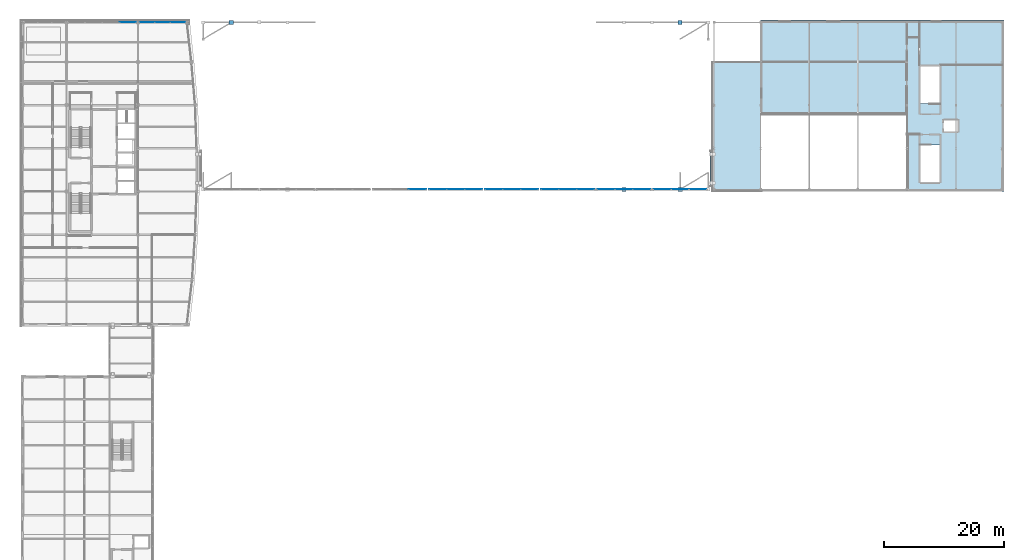
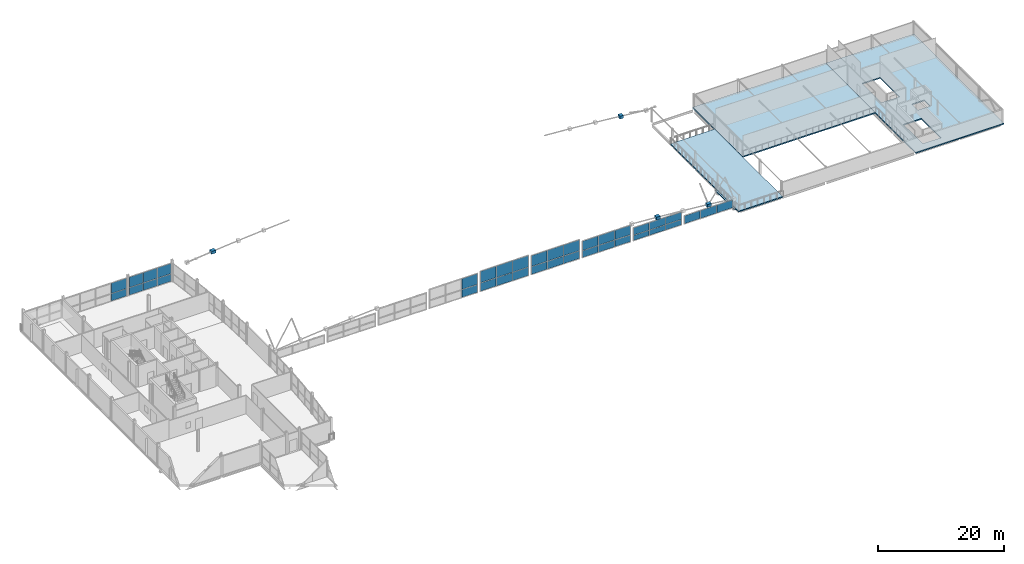
# One storey, part 44 of 60: 41 plates, 4 slabs, 8 elements without a shape of their own.
"""IFC4 building model written with IfcOpenShell, lengths in metres."""

from ifc_helpers import new_model, si_unit, direction, frame, origin, origin_2d, place, context, subcontext, project, spatial, polyline, rectangle, outline, extrude, material, layer, layer_set, type_object, element, aggregate, save


model = new_model("IFC4")

# Units and contexts
model_context = context("Model", 3, precision=1e-05, world=origin(), true_north=direction((0.0, 1.0)))
body_context = subcontext(model_context, "Body", "Model", "MODEL_VIEW")
ifc_project = project(units=[si_unit("LENGTHUNIT", "METRE"), si_unit("AREAUNIT", "SQUARE_METRE"), si_unit("VOLUMEUNIT", "CUBIC_METRE"), si_unit("PLANEANGLEUNIT", "RADIAN"), si_unit("MASSUNIT", "GRAM", prefix="KILO")], contexts=[model_context])

# Site, building, storey
site_placement = place(None, origin())
site = spatial("IfcSite", under=ifc_project, at=site_placement, CompositionType="ELEMENT")
building_placement = place(site_placement, origin())
building = spatial("IfcBuilding", under=site, at=building_placement, Name="Quillay Park Conservatory", CompositionType="ELEMENT")
storey_placement = place(building_placement, frame((0.0, 0.0, 9.89990234375)))
storey = spatial("IfcBuildingStorey", under=building, at=storey_placement, Name="L02", CompositionType="ELEMENT", Elevation=9.89990234375)

# Plates
ifc_material_1 = material(Name="Steel S355J2H", Category="steel")
ifc_layer_1 = layer(ifc_material_1, 0.0439453125)
ifc_layer_set_1 = layer_set([ifc_layer_1], Name="BOLTED GUSSET NODE PLATE GN04 (Steel S355J2H)")
plate_type_1 = type_object("IfcPlateType", Name="BOLTED GUSSET NODE PLATE GN04", PredefinedType="USERDEFINED", material=ifc_layer_set_1)
for number, where, z_axis, x_axis, name in (
    (1, (100.816650390625, 85.550048828125, 3.508544921875), (0.0, 0.0, 1.0), (1.0, 0.0, 0.0), "Conservatory gridshell star node GN04 (15,0)"),
    (2, (110.172119140625, 113.39990234375, 2.930419921875), (0.0, 0.0, 1.0), (1.0, 0.0, 0.0), "Conservatory gridshell star node GN04 (17,10)"),
):
    element("IfcPlate", number, at=place(storey_placement, frame(where, z_axis=z_axis, x_axis=x_axis)), inside=storey, type_object=plate_type_1, Name=name, ObjectType="GUSSET PLATE", PredefinedType="USERDEFINED", context=body_context, shape_type="SweptSolid", body=[
        extrude(rectangle(XDim=0.679931640625, YDim=0.679931640625, at=origin_2d()), origin(), (0.0, 0.0, 1.0), 0.5400390625),
    ])
ifc_material_2 = material(Name="Steel S355J2H", Category="steel")
ifc_layer_2 = layer(ifc_material_2, 0.052001953125)
ifc_layer_set_2 = layer_set([ifc_layer_2], Name="BOLTED GUSSET NODE PLATE GN06 (Steel S355J2H)")
plate_type_2 = type_object("IfcPlateType", Name="BOLTED GUSSET NODE PLATE GN06", PredefinedType="USERDEFINED", material=ifc_layer_set_2)
for number, where, z_axis, x_axis, name in (
    (3, (35.327880859375, 113.39990234375, 2.930419921875), (0.0, 0.0, 1.0), (1.0, 0.0, 0.0), "Conservatory gridshell star node GN06 (1,10)"),
    (4, (110.172119140625, 85.550048828125, 2.692138671875), (0.0, 0.0, 1.0), (1.0, 0.0, 0.0), "Conservatory gridshell star node GN06 (17,0)"),
):
    element("IfcPlate", number, at=place(storey_placement, frame(where, z_axis=z_axis, x_axis=x_axis)), inside=storey, type_object=plate_type_2, Name=name, ObjectType="GUSSET PLATE", PredefinedType="USERDEFINED", context=body_context, shape_type="SweptSolid", body=[
        extrude(rectangle(XDim=0.760009765625, YDim=0.639892578125, at=origin_2d()), origin(), (0.0, 0.0, 1.0), 0.5400390625),
    ])

# Curtain wall, plates
ifc_material_3 = material(Name="Thermally Broken Anodised Aluminium 6063-T6", Category="aluminium")
ifc_layer_3 = layer(ifc_material_3, 0.179931640625)
ifc_layer_set_3 = layer_set([ifc_layer_3], Name="UNITISED CURTAIN WALL TOWER (Thermally Broken Anodised Aluminium 6063-T6)")
curtain_wall_type_1 = type_object("IfcCurtainWallType", Name="UNITISED CURTAIN WALL TOWER", PredefinedType="USERDEFINED", material=ifc_layer_set_3)
curtain_wall_1_placement = place(storey_placement, origin())
curtain_wall_1 = element("IfcCurtainWall", 5, at=curtain_wall_1_placement, inside=storey, type_object=curtain_wall_type_1, Name="L02 Unitised Curtain Wall 026", ObjectType="UNITISED CURTAIN WALL", PredefinedType="USERDEFINED")
ifc_material_4 = material(Name="Low-E Double Glazing (Laminated Tempered)", Category="glass")
ifc_layer_4 = layer(ifc_material_4, 0.028076171875)
ifc_layer_set_4 = layer_set([ifc_layer_4], Name="CURTAIN WALL GLAZED PANEL 28 (Low-E Double Glazing (Laminated Tempered))")
plate_type_3 = type_object("IfcPlateType", Name="CURTAIN WALL GLAZED PANEL 28", PredefinedType="CURTAIN_PANEL", material=ifc_layer_set_4)
plate_1_placement = place(storey_placement, frame((18.094970703125, 113.39990234375, 0.0703125), z_axis=(0.0, 0.0, 1.0), x_axis=(1.0, 0.0, 0.0)))
plate_1 = element("IfcPlate", 6, at=plate_1_placement, type_object=plate_type_3, Name="CW-T1 panel 4.1", PredefinedType="CURTAIN_PANEL", context=body_context, shape_type="SweptSolid", body=[
    extrude(rectangle(XDim=2.77001953125, YDim=0.028076171875, at=origin_2d()), origin(), (0.0, 0.0, 1.0), 1.406494140625),
])
plate_2_placement = place(storey_placement, frame((18.094970703125, 113.39990234375, 1.546630859375), z_axis=(0.0, 0.0, 1.0), x_axis=(1.0, 0.0, 0.0)))
plate_2 = element("IfcPlate", 7, at=plate_2_placement, type_object=plate_type_3, Name="CW-T1 panel 4.2", PredefinedType="CURTAIN_PANEL", context=body_context, shape_type="SweptSolid", body=[
    extrude(rectangle(XDim=2.77001953125, YDim=0.028076171875, at=origin_2d()), origin(), (0.0, 0.0, 1.0), 1.982421875),
])
aggregate(curtain_wall_1, [plate_1, plate_2])

curtain_wall_2_placement = place(storey_placement, origin())
curtain_wall_2 = element("IfcCurtainWall", 8, at=curtain_wall_2_placement, inside=storey, type_object=curtain_wall_type_1, Name="L02 Unitised Curtain Wall 027", ObjectType="UNITISED CURTAIN WALL", PredefinedType="USERDEFINED")
plate_3_placement = place(storey_placement, frame((21.263427734375, 113.39990234375, 0.0703125), z_axis=(0.0, 0.0, 1.0), x_axis=(1.0, 0.0, 0.0)))
plate_3 = element("IfcPlate", 9, at=plate_3_placement, type_object=plate_type_3, Name="CW-T1 panel 1.1", PredefinedType="CURTAIN_PANEL", context=body_context, shape_type="SweptSolid", body=[
    extrude(rectangle(XDim=2.486572265625, YDim=0.028076171875, at=origin_2d()), origin(), (0.0, 0.0, 1.0), 1.406494140625),
])
plate_4_placement = place(storey_placement, frame((21.263427734375, 113.39990234375, 1.546630859375), z_axis=(0.0, 0.0, 1.0), x_axis=(1.0, 0.0, 0.0)))
plate_4 = element("IfcPlate", 10, at=plate_4_placement, type_object=plate_type_3, Name="CW-T1 panel 1.2", PredefinedType="CURTAIN_PANEL", context=body_context, shape_type="SweptSolid", body=[
    extrude(rectangle(XDim=2.486572265625, YDim=0.028076171875, at=origin_2d()), origin(), (0.0, 0.0, 1.0), 1.982421875),
])
plate_5_placement = place(storey_placement, frame((23.83740234375, 113.39990234375, 0.0703125), z_axis=(0.0, 0.0, 1.0), x_axis=(1.0, 0.0, 0.0)))
plate_5 = element("IfcPlate", 11, at=plate_5_placement, type_object=plate_type_3, Name="CW-T1 panel 2.1", PredefinedType="CURTAIN_PANEL", context=body_context, shape_type="SweptSolid", body=[
    extrude(rectangle(XDim=2.521728515625, YDim=0.028076171875, at=origin_2d()), origin(), (0.0, 0.0, 1.0), 1.406494140625),
])
plate_6_placement = place(storey_placement, frame((23.83740234375, 113.39990234375, 1.546630859375), z_axis=(0.0, 0.0, 1.0), x_axis=(1.0, 0.0, 0.0)))
plate_6 = element("IfcPlate", 12, at=plate_6_placement, type_object=plate_type_3, Name="CW-T1 panel 2.2", PredefinedType="CURTAIN_PANEL", context=body_context, shape_type="SweptSolid", body=[
    extrude(rectangle(XDim=2.521728515625, YDim=0.028076171875, at=origin_2d()), origin(), (0.0, 0.0, 1.0), 1.982421875),
])
plate_7_placement = place(storey_placement, frame((26.41162109375, 113.39990234375, 0.0703125), z_axis=(0.0, 0.0, 1.0), x_axis=(1.0, 0.0, 0.0)))
plate_7 = element("IfcPlate", 13, at=plate_7_placement, type_object=plate_type_3, Name="CW-T1 panel 3.1", PredefinedType="CURTAIN_PANEL", context=body_context, shape_type="SweptSolid", body=[
    extrude(rectangle(XDim=2.486572265625, YDim=0.028076171875, at=origin_2d()), origin(), (0.0, 0.0, 1.0), 1.406494140625),
])
plate_8_placement = place(storey_placement, frame((26.41162109375, 113.39990234375, 1.546630859375), z_axis=(0.0, 0.0, 1.0), x_axis=(1.0, 0.0, 0.0)))
plate_8 = element("IfcPlate", 14, at=plate_8_placement, type_object=plate_type_3, Name="CW-T1 panel 3.2", PredefinedType="CURTAIN_PANEL", context=body_context, shape_type="SweptSolid", body=[
    extrude(rectangle(XDim=2.486572265625, YDim=0.028076171875, at=origin_2d()), origin(), (0.0, 0.0, 1.0), 1.982421875),
])
aggregate(curtain_wall_2, [plate_3, plate_4, plate_5, plate_6, plate_7, plate_8])

ifc_material_5 = material(Name="Thermally Broken Anodised Aluminium 6063-T6", Category="aluminium")
ifc_layer_5 = layer(ifc_material_5, 0.219970703125)
ifc_layer_set_5 = layer_set([ifc_layer_5], Name="UNITISED CURTAIN WALL CONSERVATORY (Thermally Broken Anodised Aluminium 6063-T6)")
curtain_wall_type_2 = type_object("IfcCurtainWallType", Name="UNITISED CURTAIN WALL CONSERVATORY", PredefinedType="USERDEFINED", material=ifc_layer_set_5)
curtain_wall_3_placement = place(storey_placement, origin())
curtain_wall_3 = element("IfcCurtainWall", 15, at=curtain_wall_3_placement, inside=storey, type_object=curtain_wall_type_2, Name="L02 Unitised Curtain Wall 190", ObjectType="UNITISED CURTAIN WALL", PredefinedType="USERDEFINED")
ifc_material_6 = material(Name="Low-Iron Laminated Insulated Glazing", Category="glass")
ifc_layer_6 = layer(ifc_material_6, 0.031982421875)
ifc_layer_set_6 = layer_set([ifc_layer_6], Name="CURTAIN WALL GLAZED PANEL 32 (Low-Iron Laminated Insulated Glazing)")
plate_type_4 = type_object("IfcPlateType", Name="CURTAIN WALL GLAZED PANEL 32", PredefinedType="CURTAIN_PANEL", material=ifc_layer_set_6)
plate_9_placement = place(storey_placement, frame((66.36083984375, 85.550048828125, 0.770263671875), z_axis=(0.0, 0.0, 1.0), x_axis=(-1.0, 0.0, 0.0)))
plate_9 = element("IfcPlate", 16, at=plate_9_placement, type_object=plate_type_4, Name="CW-C1 panel 1.1", PredefinedType="CURTAIN_PANEL", context=body_context, shape_type="SweptSolid", body=[
    extrude(rectangle(XDim=2.87890625, YDim=0.031982421875, at=origin_2d()), origin(), (0.0, 0.0, 1.0), 1.4755859375),
])
plate_10_placement = place(storey_placement, frame((66.36083984375, 85.550048828125, 2.31591796875), z_axis=(0.0, 0.0, 1.0), x_axis=(-1.0, 0.0, 0.0)))
plate_10 = element("IfcPlate", 17, at=plate_10_placement, type_object=plate_type_4, Name="CW-C1 panel 1.2", PredefinedType="CURTAIN_PANEL", context=body_context, shape_type="SweptSolid", body=[
    extrude(rectangle(XDim=2.87890625, YDim=0.031982421875, at=origin_2d()), origin(), (0.0, 0.0, 1.0), 2.077880859375),
])
aggregate(curtain_wall_3, [plate_9, plate_10])

curtain_wall_4_placement = place(storey_placement, origin())
curtain_wall_4 = element("IfcCurtainWall", 18, at=curtain_wall_4_placement, inside=storey, type_object=curtain_wall_type_2, Name="L02 Unitised Curtain Wall 191", ObjectType="UNITISED CURTAIN WALL", PredefinedType="USERDEFINED")
plate_11_placement = place(storey_placement, frame((75.71630859375, 85.550048828125, 0.77001953125), z_axis=(0.0, 0.0, 1.0), x_axis=(-1.0, 0.0, 0.0)))
plate_11 = element("IfcPlate", 19, at=plate_11_placement, type_object=plate_type_4, Name="CW-C1 panel 1.1", PredefinedType="CURTAIN_PANEL", context=body_context, shape_type="SweptSolid", body=[
    extrude(rectangle(XDim=2.87890625, YDim=0.031982421875, at=origin_2d()), origin(), (0.0, 0.0, 1.0), 1.57421875),
])
plate_12_placement = place(storey_placement, frame((75.71630859375, 85.550048828125, 2.414306640625), z_axis=(0.0, 0.0, 1.0), x_axis=(-1.0, 0.0, 0.0)))
plate_12 = element("IfcPlate", 20, at=plate_12_placement, type_object=plate_type_4, Name="CW-C1 panel 1.2", PredefinedType="CURTAIN_PANEL", context=body_context, shape_type="SweptSolid", body=[
    extrude(rectangle(XDim=2.87890625, YDim=0.031982421875, at=origin_2d()), origin(), (0.0, 0.0, 1.0), 2.2138671875),
])
plate_13_placement = place(storey_placement, frame((72.75, 85.550048828125, 0.77001953125), z_axis=(0.0, 0.0, 1.0), x_axis=(-1.0, 0.0, 0.0)))
plate_13 = element("IfcPlate", 21, at=plate_13_placement, type_object=plate_type_4, Name="CW-C1 panel 2.1", PredefinedType="CURTAIN_PANEL", context=body_context, shape_type="SweptSolid", body=[
    extrude(rectangle(XDim=2.913818359375, YDim=0.031982421875, at=origin_2d()), origin(), (0.0, 0.0, 1.0), 1.57421875),
])
plate_14_placement = place(storey_placement, frame((72.75, 85.550048828125, 2.414306640625), z_axis=(0.0, 0.0, 1.0), x_axis=(-1.0, 0.0, 0.0)))
plate_14 = element("IfcPlate", 22, at=plate_14_placement, type_object=plate_type_4, Name="CW-C1 panel 2.2", PredefinedType="CURTAIN_PANEL", context=body_context, shape_type="SweptSolid", body=[
    extrude(rectangle(XDim=2.913818359375, YDim=0.031982421875, at=origin_2d()), origin(), (0.0, 0.0, 1.0), 2.2138671875),
])
plate_15_placement = place(storey_placement, frame((69.78369140625, 85.550048828125, 0.77001953125), z_axis=(0.0, 0.0, 1.0), x_axis=(-1.0, 0.0, 0.0)))
plate_15 = element("IfcPlate", 23, at=plate_15_placement, type_object=plate_type_4, Name="CW-C1 panel 3.1", PredefinedType="CURTAIN_PANEL", context=body_context, shape_type="SweptSolid", body=[
    extrude(rectangle(XDim=2.87890625, YDim=0.031982421875, at=origin_2d()), origin(), (0.0, 0.0, 1.0), 1.57421875),
])
plate_16_placement = place(storey_placement, frame((69.78369140625, 85.550048828125, 2.414306640625), z_axis=(0.0, 0.0, 1.0), x_axis=(-1.0, 0.0, 0.0)))
plate_16 = element("IfcPlate", 24, at=plate_16_placement, type_object=plate_type_4, Name="CW-C1 panel 3.2", PredefinedType="CURTAIN_PANEL", context=body_context, shape_type="SweptSolid", body=[
    extrude(rectangle(XDim=2.87890625, YDim=0.031982421875, at=origin_2d()), origin(), (0.0, 0.0, 1.0), 2.2138671875),
])
aggregate(curtain_wall_4, [plate_11, plate_12, plate_13, plate_14, plate_15, plate_16])

curtain_wall_5_placement = place(storey_placement, origin())
curtain_wall_5 = element("IfcCurtainWall", 25, at=curtain_wall_5_placement, inside=storey, type_object=curtain_wall_type_2, Name="L02 Unitised Curtain Wall 192", ObjectType="UNITISED CURTAIN WALL", PredefinedType="USERDEFINED")
plate_17_placement = place(storey_placement, frame((85.07177734375, 85.550048828125, 0.770263671875), z_axis=(0.0, 0.0, 1.0), x_axis=(-1.0, 0.0, 0.0)))
plate_17 = element("IfcPlate", 26, at=plate_17_placement, type_object=plate_type_4, Name="CW-C1 panel 1.1", PredefinedType="CURTAIN_PANEL", context=body_context, shape_type="SweptSolid", body=[
    extrude(rectangle(XDim=2.87890625, YDim=0.031982421875, at=origin_2d()), origin(), (0.0, 0.0, 1.0), 1.4755859375),
])
plate_18_placement = place(storey_placement, frame((85.07177734375, 85.550048828125, 2.31591796875), z_axis=(0.0, 0.0, 1.0), x_axis=(-1.0, 0.0, 0.0)))
plate_18 = element("IfcPlate", 27, at=plate_18_placement, type_object=plate_type_4, Name="CW-C1 panel 1.2", PredefinedType="CURTAIN_PANEL", context=body_context, shape_type="SweptSolid", body=[
    extrude(rectangle(XDim=2.87890625, YDim=0.031982421875, at=origin_2d()), origin(), (0.0, 0.0, 1.0), 2.077880859375),
])
plate_19_placement = place(storey_placement, frame((82.10546875, 85.550048828125, 0.770263671875), z_axis=(0.0, 0.0, 1.0), x_axis=(-1.0, 0.0, 0.0)))
plate_19 = element("IfcPlate", 28, at=plate_19_placement, type_object=plate_type_4, Name="CW-C1 panel 2.1", PredefinedType="CURTAIN_PANEL", context=body_context, shape_type="SweptSolid", body=[
    extrude(rectangle(XDim=2.913818359375, YDim=0.031982421875, at=origin_2d()), origin(), (0.0, 0.0, 1.0), 1.4755859375),
])
plate_20_placement = place(storey_placement, frame((82.10546875, 85.550048828125, 2.31591796875), z_axis=(0.0, 0.0, 1.0), x_axis=(-1.0, 0.0, 0.0)))
plate_20 = element("IfcPlate", 29, at=plate_20_placement, type_object=plate_type_4, Name="CW-C1 panel 2.2", PredefinedType="CURTAIN_PANEL", context=body_context, shape_type="SweptSolid", body=[
    extrude(rectangle(XDim=2.913818359375, YDim=0.031982421875, at=origin_2d()), origin(), (0.0, 0.0, 1.0), 2.077880859375),
])
plate_21_placement = place(storey_placement, frame((79.13916015625, 85.550048828125, 0.770263671875), z_axis=(0.0, 0.0, 1.0), x_axis=(-1.0, 0.0, 0.0)))
plate_21 = element("IfcPlate", 30, at=plate_21_placement, type_object=plate_type_4, Name="CW-C1 panel 3.1", PredefinedType="CURTAIN_PANEL", context=body_context, shape_type="SweptSolid", body=[
    extrude(rectangle(XDim=2.87890625, YDim=0.031982421875, at=origin_2d()), origin(), (0.0, 0.0, 1.0), 1.4755859375),
])
plate_22_placement = place(storey_placement, frame((79.13916015625, 85.550048828125, 2.31591796875), z_axis=(0.0, 0.0, 1.0), x_axis=(-1.0, 0.0, 0.0)))
plate_22 = element("IfcPlate", 31, at=plate_22_placement, type_object=plate_type_4, Name="CW-C1 panel 3.2", PredefinedType="CURTAIN_PANEL", context=body_context, shape_type="SweptSolid", body=[
    extrude(rectangle(XDim=2.87890625, YDim=0.031982421875, at=origin_2d()), origin(), (0.0, 0.0, 1.0), 2.077880859375),
])
aggregate(curtain_wall_5, [plate_17, plate_18, plate_19, plate_20, plate_21, plate_22])

curtain_wall_6_placement = place(storey_placement, origin())
curtain_wall_6 = element("IfcCurtainWall", 32, at=curtain_wall_6_placement, inside=storey, type_object=curtain_wall_type_2, Name="L02 Unitised Curtain Wall 193", ObjectType="UNITISED CURTAIN WALL", PredefinedType="USERDEFINED")
plate_23_placement = place(storey_placement, frame((94.427490234375, 85.550048828125, 0.77001953125), z_axis=(0.0, 0.0, 1.0), x_axis=(-1.0, 0.0, 0.0)))
plate_23 = element("IfcPlate", 33, at=plate_23_placement, type_object=plate_type_4, Name="CW-C1 panel 1.1", PredefinedType="CURTAIN_PANEL", context=body_context, shape_type="SweptSolid", body=[
    extrude(rectangle(XDim=2.87890625, YDim=0.031982421875, at=origin_2d()), origin(), (0.0, 0.0, 1.0), 1.280517578125),
])
plate_24_placement = place(storey_placement, frame((94.427490234375, 85.550048828125, 2.12060546875), z_axis=(0.0, 0.0, 1.0), x_axis=(-1.0, 0.0, 0.0)))
plate_24 = element("IfcPlate", 34, at=plate_24_placement, type_object=plate_type_4, Name="CW-C1 panel 1.2", PredefinedType="CURTAIN_PANEL", context=body_context, shape_type="SweptSolid", body=[
    extrude(rectangle(XDim=2.87890625, YDim=0.031982421875, at=origin_2d()), origin(), (0.0, 0.0, 1.0), 1.80810546875),
])
plate_25_placement = place(storey_placement, frame((91.461181640625, 85.550048828125, 0.77001953125), z_axis=(0.0, 0.0, 1.0), x_axis=(-1.0, 0.0, 0.0)))
plate_25 = element("IfcPlate", 35, at=plate_25_placement, type_object=plate_type_4, Name="CW-C1 panel 2.1", PredefinedType="CURTAIN_PANEL", context=body_context, shape_type="SweptSolid", body=[
    extrude(rectangle(XDim=2.913818359375, YDim=0.031982421875, at=origin_2d()), origin(), (0.0, 0.0, 1.0), 1.280517578125),
])
plate_26_placement = place(storey_placement, frame((91.461181640625, 85.550048828125, 2.12060546875), z_axis=(0.0, 0.0, 1.0), x_axis=(-1.0, 0.0, 0.0)))
plate_26 = element("IfcPlate", 36, at=plate_26_placement, type_object=plate_type_4, Name="CW-C1 panel 2.2", PredefinedType="CURTAIN_PANEL", context=body_context, shape_type="SweptSolid", body=[
    extrude(rectangle(XDim=2.913818359375, YDim=0.031982421875, at=origin_2d()), origin(), (0.0, 0.0, 1.0), 1.80810546875),
])
plate_27_placement = place(storey_placement, frame((88.49462890625, 85.550048828125, 0.77001953125), z_axis=(0.0, 0.0, 1.0), x_axis=(-1.0, 0.0, 0.0)))
plate_27 = element("IfcPlate", 37, at=plate_27_placement, type_object=plate_type_4, Name="CW-C1 panel 3.1", PredefinedType="CURTAIN_PANEL", context=body_context, shape_type="SweptSolid", body=[
    extrude(rectangle(XDim=2.87890625, YDim=0.031982421875, at=origin_2d()), origin(), (0.0, 0.0, 1.0), 1.280517578125),
])
plate_28_placement = place(storey_placement, frame((88.49462890625, 85.550048828125, 2.12060546875), z_axis=(0.0, 0.0, 1.0), x_axis=(-1.0, 0.0, 0.0)))
plate_28 = element("IfcPlate", 38, at=plate_28_placement, type_object=plate_type_4, Name="CW-C1 panel 3.2", PredefinedType="CURTAIN_PANEL", context=body_context, shape_type="SweptSolid", body=[
    extrude(rectangle(XDim=2.87890625, YDim=0.031982421875, at=origin_2d()), origin(), (0.0, 0.0, 1.0), 1.80810546875),
])
aggregate(curtain_wall_6, [plate_23, plate_24, plate_25, plate_26, plate_27, plate_28])

curtain_wall_7_placement = place(storey_placement, origin())
curtain_wall_7 = element("IfcCurtainWall", 39, at=curtain_wall_7_placement, inside=storey, type_object=curtain_wall_type_2, Name="L02 Unitised Curtain Wall 194", ObjectType="UNITISED CURTAIN WALL", PredefinedType="USERDEFINED")
plate_29_placement = place(storey_placement, frame((103.782958984375, 85.550048828125, 0.77001953125), z_axis=(0.0, 0.0, 1.0), x_axis=(-1.0, 0.0, 0.0)))
plate_29 = element("IfcPlate", 40, at=plate_29_placement, type_object=plate_type_4, Name="CW-C1 panel 1.1", PredefinedType="CURTAIN_PANEL", context=body_context, shape_type="SweptSolid", body=[
    extrude(rectangle(XDim=2.87890625, YDim=0.031982421875, at=origin_2d()), origin(), (0.0, 0.0, 1.0), 0.98681640625),
])
plate_30_placement = place(storey_placement, frame((103.782958984375, 85.550048828125, 1.8271484375), z_axis=(0.0, 0.0, 1.0), x_axis=(-1.0, 0.0, 0.0)))
plate_30 = element("IfcPlate", 41, at=plate_30_placement, type_object=plate_type_4, Name="CW-C1 panel 1.2", PredefinedType="CURTAIN_PANEL", context=body_context, shape_type="SweptSolid", body=[
    extrude(rectangle(XDim=2.87890625, YDim=0.031982421875, at=origin_2d()), origin(), (0.0, 0.0, 1.0), 1.402587890625),
])
plate_31_placement = place(storey_placement, frame((100.816650390625, 85.550048828125, 0.77001953125), z_axis=(0.0, 0.0, 1.0), x_axis=(-1.0, 0.0, 0.0)))
plate_31 = element("IfcPlate", 42, at=plate_31_placement, type_object=plate_type_4, Name="CW-C1 panel 2.1", PredefinedType="CURTAIN_PANEL", context=body_context, shape_type="SweptSolid", body=[
    extrude(rectangle(XDim=2.913818359375, YDim=0.031982421875, at=origin_2d()), origin(), (0.0, 0.0, 1.0), 0.98681640625),
])
plate_32_placement = place(storey_placement, frame((100.816650390625, 85.550048828125, 1.8271484375), z_axis=(0.0, 0.0, 1.0), x_axis=(-1.0, 0.0, 0.0)))
plate_32 = element("IfcPlate", 43, at=plate_32_placement, type_object=plate_type_4, Name="CW-C1 panel 2.2", PredefinedType="CURTAIN_PANEL", context=body_context, shape_type="SweptSolid", body=[
    extrude(rectangle(XDim=2.913818359375, YDim=0.031982421875, at=origin_2d()), origin(), (0.0, 0.0, 1.0), 1.402587890625),
])
plate_33_placement = place(storey_placement, frame((97.850341796875, 85.550048828125, 0.77001953125), z_axis=(0.0, 0.0, 1.0), x_axis=(-1.0, 0.0, 0.0)))
plate_33 = element("IfcPlate", 44, at=plate_33_placement, type_object=plate_type_4, Name="CW-C1 panel 3.1", PredefinedType="CURTAIN_PANEL", context=body_context, shape_type="SweptSolid", body=[
    extrude(rectangle(XDim=2.87890625, YDim=0.031982421875, at=origin_2d()), origin(), (0.0, 0.0, 1.0), 0.98681640625),
])
plate_34_placement = place(storey_placement, frame((97.850341796875, 85.550048828125, 1.8271484375), z_axis=(0.0, 0.0, 1.0), x_axis=(-1.0, 0.0, 0.0)))
plate_34 = element("IfcPlate", 45, at=plate_34_placement, type_object=plate_type_4, Name="CW-C1 panel 3.2", PredefinedType="CURTAIN_PANEL", context=body_context, shape_type="SweptSolid", body=[
    extrude(rectangle(XDim=2.87890625, YDim=0.031982421875, at=origin_2d()), origin(), (0.0, 0.0, 1.0), 1.402587890625),
])
aggregate(curtain_wall_7, [plate_29, plate_30, plate_31, plate_32, plate_33, plate_34])

curtain_wall_8_placement = place(storey_placement, origin())
curtain_wall_8 = element("IfcCurtainWall", 46, at=curtain_wall_8_placement, inside=storey, type_object=curtain_wall_type_2, Name="L02 Unitised Curtain Wall 195", ObjectType="UNITISED CURTAIN WALL", PredefinedType="USERDEFINED")
plate_35_placement = place(storey_placement, frame((113.138671875, 85.550048828125, 0.77001953125), z_axis=(0.0, 0.0, 1.0), x_axis=(-1.0, 0.0, 0.0)))
plate_35 = element("IfcPlate", 47, at=plate_35_placement, type_object=plate_type_4, Name="CW-C1 panel 1.1", PredefinedType="CURTAIN_PANEL", context=body_context, shape_type="SweptSolid", body=[
    extrude(rectangle(XDim=2.87890625, YDim=0.031982421875, at=origin_2d()), origin(), (0.0, 0.0, 1.0), 1.52587890625),
])
plate_36_placement = place(storey_placement, frame((110.172119140625, 85.550048828125, 0.77001953125), z_axis=(0.0, 0.0, 1.0), x_axis=(-1.0, 0.0, 0.0)))
plate_36 = element("IfcPlate", 48, at=plate_36_placement, type_object=plate_type_4, Name="CW-C1 panel 2.1", PredefinedType="CURTAIN_PANEL", context=body_context, shape_type="SweptSolid", body=[
    extrude(rectangle(XDim=2.913818359375, YDim=0.031982421875, at=origin_2d()), origin(), (0.0, 0.0, 1.0), 1.52587890625),
])
plate_37_placement = place(storey_placement, frame((107.205810546875, 85.550048828125, 0.77001953125), z_axis=(0.0, 0.0, 1.0), x_axis=(-1.0, 0.0, 0.0)))
plate_37 = element("IfcPlate", 49, at=plate_37_placement, type_object=plate_type_4, Name="CW-C1 panel 3.1", PredefinedType="CURTAIN_PANEL", context=body_context, shape_type="SweptSolid", body=[
    extrude(rectangle(XDim=2.87890625, YDim=0.031982421875, at=origin_2d()), origin(), (0.0, 0.0, 1.0), 1.52587890625),
])
aggregate(curtain_wall_8, [plate_35, plate_36, plate_37])

# Slabs
ifc_material_7 = material(Name="Concrete C35/45 (NCh170 Concrete C35/45)", Category="concrete")
ifc_layer_7 = layer(ifc_material_7, 0.215087890625)
ifc_layer_set_7 = layer_set([ifc_layer_7], Name="OUTDOOR TERRACE SLAB 215 (Concrete C35/45 (NCh170 Concrete C35/45))")
slab_type_1 = type_object("IfcSlabType", Name="OUTDOOR TERRACE SLAB 215", PredefinedType="FLOOR", material=ifc_layer_set_7)
slab_1_placement = place(storey_placement, frame((0.0, 0.0, -0.21484375)))
element("IfcSlab", 50, at=slab_1_placement, inside=storey, type_object=slab_type_1, Name="L02 Auditorium Foyer Terrace Slab", PredefinedType="FLOOR", context=body_context, shape_type="SweptSolid", body=[
    extrude(outline(polyline([(115.5, 85.199951171875), (123.60009765625, 85.199951171875), (123.60009765625, 106.800048828125), (115.5, 106.800048828125), (115.5, 85.199951171875)])), origin(), (0.0, 0.0, 1.0), 0.21484375),
])
ifc_material_8 = material(Name="Concrete C35/45 (NCh170 Concrete C35/45)", Category="concrete")
ifc_layer_8 = layer(ifc_material_8, 0.199951171875)
ifc_layer_set_8 = layer_set([ifc_layer_8], Name="SUSPENDED FLOOR SLAB 200 (Concrete C35/45 (NCh170 Concrete C35/45))")
slab_type_2 = type_object("IfcSlabType", Name="SUSPENDED FLOOR SLAB 200", PredefinedType="FLOOR", material=ifc_layer_set_8)
slab_2_placement = place(storey_placement, frame((0.0, 0.0, -0.199951171875)))
element("IfcSlab", 51, at=slab_2_placement, inside=storey, type_object=slab_type_2, Name="L02 Seismic Link Bridge LB-3 Threshold Slab", PredefinedType="FLOOR", context=body_context, shape_type="SweptSolid", body=[
    extrude(outline(polyline([(115.199951171875, 86.0), (115.5, 86.0), (115.5, 92.0), (115.199951171875, 92.0), (115.199951171875, 86.0)])), origin(), (0.0, 0.0, 1.0), 0.199951171875),
])
ifc_material_9 = material(Name="Concrete C35/45 (NCh170 Concrete C35/45)", Category="concrete")
ifc_layer_9 = layer(ifc_material_9, 0.219970703125)
ifc_layer_set_9 = layer_set([ifc_layer_9], Name="SUSPENDED FLOOR SLAB 220 (Concrete C35/45 (NCh170 Concrete C35/45))")
slab_type_3 = type_object("IfcSlabType", Name="SUSPENDED FLOOR SLAB 220", PredefinedType="FLOOR", material=ifc_layer_set_9)
slab_3_placement = place(storey_placement, frame((0.0, 0.0, -0.219970703125)))
element("IfcSlab", 52, at=slab_3_placement, inside=storey, type_object=slab_type_3, Name="L02 Auditorium Projection and Technical Slab", PredefinedType="FLOOR", context=body_context, shape_type="SweptSolid", body=[
    extrude(outline(polyline([(148.0, 85.199951171875), (164.199951171875, 85.199951171875), (164.199951171875, 113.800048828125), (148.0, 113.800048828125), (148.0, 85.199951171875)]), holes=[polyline([(150.199951171875, 86.75), (153.52001953125, 86.75), (153.52001953125, 92.919921875), (150.199951171875, 92.919921875), (150.199951171875, 86.75)]), polyline([(150.199951171875, 99.8798828125), (153.52001953125, 99.8798828125), (153.52001953125, 106.050048828125), (150.199951171875, 106.050048828125), (150.199951171875, 99.8798828125)]), polyline([(154.14990234375, 95.199951171875), (156.449951171875, 95.199951171875), (156.449951171875, 97.10009765625), (154.14990234375, 97.10009765625), (154.14990234375, 95.199951171875)])]), origin(), (0.0, 0.0, 1.0), 0.219970703125),
])
slab_4_placement = place(storey_placement, frame((0.0, 0.0, -0.219970703125)))
element("IfcSlab", 53, at=slab_4_placement, inside=storey, type_object=slab_type_3, Name="L02 Auditorium North Gallery Floor Slab", PredefinedType="FLOOR", context=body_context, shape_type="SweptSolid", body=[
    extrude(outline(polyline([(123.60009765625, 98.0), (148.0, 98.0), (148.0, 113.800048828125), (123.60009765625, 113.800048828125), (123.60009765625, 98.0)])), origin(), (0.0, 0.0, 1.0), 0.219970703125),
])

save(model, "model.ifc")
